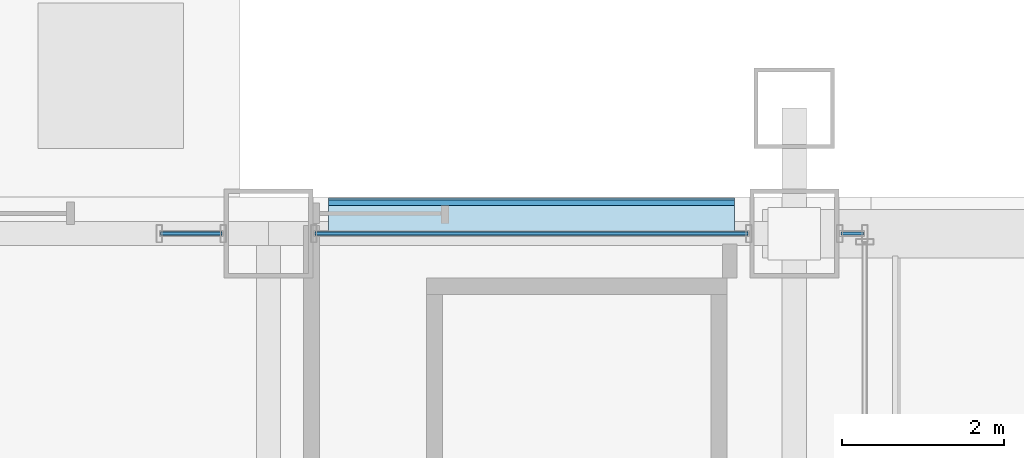
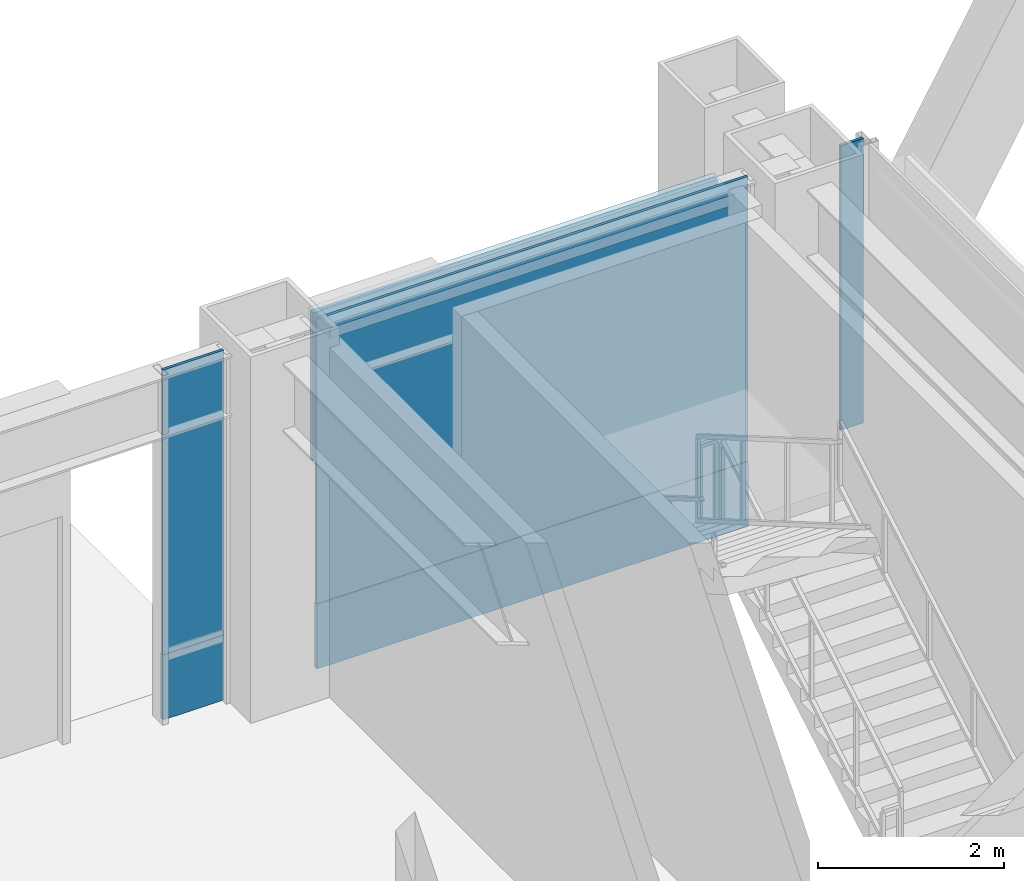
# One storey, part 26 of 37: 7 plates, 3 elements without a shape of their own.
"""IFC4 building model written with IfcOpenShell, lengths in metres."""

from ifc_helpers import new_model, si_unit, direction, frame, origin, origin_2d, place, context, subcontext, project, spatial, rectangle, extrude, material, layer, layer_set, type_object, element, aggregate, save


model = new_model("IFC4")

# Units and contexts
model_context = context("Model", 3, precision=1e-05, world=origin(), true_north=direction((0.0, 1.0)))
body_context = subcontext(model_context, "Body", "Model", "MODEL_VIEW")
ifc_project = project(units=[si_unit("LENGTHUNIT", "METRE"), si_unit("AREAUNIT", "SQUARE_METRE"), si_unit("VOLUMEUNIT", "CUBIC_METRE"), si_unit("PLANEANGLEUNIT", "RADIAN"), si_unit("MASSUNIT", "GRAM", prefix="KILO")], contexts=[model_context])

# Site, building, storey
site_placement = place(None, origin())
site = spatial("IfcSite", under=ifc_project, at=site_placement, CompositionType="ELEMENT")
building_placement = place(site_placement, origin())
building = spatial("IfcBuilding", under=site, at=building_placement, Name="Brelmoor Portico Tower", CompositionType="ELEMENT")
storey_placement = place(building_placement, origin())
storey = spatial("IfcBuildingStorey", under=building, at=storey_placement, Name="L00", CompositionType="ELEMENT", Elevation=0.0)

# Curtain wall, plate
ifc_material_1 = material(Name="Anodised Aluminium Alloy 6063-T6", Category="aluminium")
ifc_layer_1 = layer(ifc_material_1, 0.179931640625)
ifc_layer_set_1 = layer_set([ifc_layer_1], Name="Anodised Aluminium Alloy 6063-T6")
curtain_wall_type = type_object("IfcCurtainWallType", Name="CW-PODIUM-ARCH", PredefinedType="NOTDEFINED", material=ifc_layer_set_1)
curtain_wall_1_placement = place(storey_placement, origin())
curtain_wall_1 = element("IfcCurtainWall", 1, at=curtain_wall_1_placement, inside=storey, type_object=curtain_wall_type, Name="L00 Curtain Wall CW-L00-03-1", PredefinedType="NOTDEFINED")
ifc_material_2 = material(Name="Double-Silver Low-E Insulated Glazing", Category="glass")
ifc_layer_2 = layer(ifc_material_2, 0.035888671875)
ifc_layer_set_2 = layer_set([ifc_layer_2], Name="Double-Silver Low-E Insulated Glazing")
plate_type_1 = type_object("IfcPlateType", Name="PT-CW-GLASS", PredefinedType="CURTAIN_PANEL", material=ifc_layer_set_2)
plate_1_placement = place(storey_placement, frame((-22.0048828125, 27.550048828125, 0.85009765625), z_axis=(0.0, 0.0, 1.0), x_axis=(1.0, 0.0, 0.0)))
plate_1 = element("IfcPlate", 2, at=plate_1_placement, type_object=plate_type_1, Name="CW-L00-03-1 Vision Glass Panel 00", PredefinedType="CURTAIN_PANEL", context=body_context, shape_type="SweptSolid", body=[
    extrude(rectangle(XDim=0.760009765625, YDim=0.035888671875, at=origin_2d()), origin(), (0.0, 0.0, 1.0), 3.72998046875),
])

curtain_wall_2_placement = place(storey_placement, origin())
curtain_wall_2 = element("IfcCurtainWall", 3, at=curtain_wall_2_placement, inside=storey, type_object=curtain_wall_type, Name="L00 Curtain Wall CW-L00-03-2", PredefinedType="NOTDEFINED")
plate_2_placement = place(storey_placement, frame((-17.800048828125, 27.550048828125, 0.85009765625), z_axis=(0.0, 0.0, 1.0), x_axis=(1.0, 0.0, 0.0)))
plate_2 = element("IfcPlate", 4, at=plate_2_placement, type_object=plate_type_1, Name="CW-L00-03-2 Vision Glass Panel 00", PredefinedType="CURTAIN_PANEL", context=body_context, shape_type="SweptSolid", body=[
    extrude(rectangle(XDim=5.35009765625, YDim=0.035888671875, at=origin_2d()), origin(), (0.0, 0.0, 1.0), 3.72998046875),
])

curtain_wall_3_placement = place(storey_placement, origin())
curtain_wall_3 = element("IfcCurtainWall", 5, at=curtain_wall_3_placement, inside=storey, type_object=curtain_wall_type, Name="L00 Curtain Wall CW-L00-03-3", PredefinedType="NOTDEFINED")
plate_3_placement = place(storey_placement, frame((-13.8349609375, 27.550048828125, 0.85009765625), z_axis=(0.0, 0.0, 1.0), x_axis=(1.0, 0.0, 0.0)))
plate_3 = element("IfcPlate", 6, at=plate_3_placement, type_object=plate_type_1, Name="CW-L00-03-3 Vision Glass Panel 00", PredefinedType="CURTAIN_PANEL", context=body_context, shape_type="SweptSolid", body=[
    extrude(rectangle(XDim=0.280029296875, YDim=0.035888671875, at=origin_2d()), origin(), (0.0, 0.0, 1.0), 3.72998046875),
])
aggregate(curtain_wall_3, [plate_3])

# Plate
ifc_material_3 = material(Name="Pale Champagne Anodised Aluminium Panel", Category="aluminium")
ifc_layer_3 = layer(ifc_material_3, 0.050048828125)
ifc_layer_set_3 = layer_set([ifc_layer_3], Name="Pale Champagne Anodised Aluminium Panel")
plate_type_2 = type_object("IfcPlateType", Name="PT-CW-SPANDREL", PredefinedType="SHEET", material=ifc_layer_set_3)
plate_4_placement = place(storey_placement, frame((-22.0048828125, 27.550048828125, 0.0), z_axis=(0.0, 0.0, 1.0), x_axis=(1.0, 0.0, 0.0)))
plate_4 = element("IfcPlate", 7, at=plate_4_placement, type_object=plate_type_2, Name="CW-L00-03-1 Spandrel Panel 00", PredefinedType="SHEET", context=body_context, shape_type="SweptSolid", body=[
    extrude(rectangle(XDim=0.760009765625, YDim=0.050048828125, at=origin_2d()), origin(), (0.0, 0.0, 1.0), 0.85009765625),
])

aggregate(curtain_wall_1, [plate_4, plate_1])

plate_5_placement = place(storey_placement, frame((-17.800048828125, 27.550048828125, 0.0), z_axis=(0.0, 0.0, 1.0), x_axis=(1.0, 0.0, 0.0)))
plate_5 = element("IfcPlate", 8, at=plate_5_placement, type_object=plate_type_2, Name="CW-L00-03-2 Spandrel Panel 00", PredefinedType="SHEET", context=body_context, shape_type="SweptSolid", body=[
    extrude(rectangle(XDim=5.35009765625, YDim=0.050048828125, at=origin_2d()), origin(), (0.0, 0.0, 1.0), 0.85009765625),
])

aggregate(curtain_wall_2, [plate_5, plate_2])

# Plates
ifc_material_4 = material(Name="Powder-Coated Aluminium Shuttered Jalousie Louvre", Category="aluminium")
ifc_layer_4 = layer(ifc_material_4, 0.06005859375)
ifc_layer_set_4 = layer_set([ifc_layer_4], Name="Powder-Coated Aluminium Shuttered Jalousie Louvre")
plate_type_3 = type_object("IfcPlateType", Name="PT-JALOUSIE-SHUTTER", PredefinedType="SHEET", material=ifc_layer_set_4)
plate_6_placement = place(storey_placement, frame((-17.800048828125, 27.929931640625, 2.4404296875), z_axis=(0.0, 0.0, 1.0), x_axis=(1.0, 0.0, 0.0)))
element("IfcPlate", 9, at=plate_6_placement, inside=storey, type_object=plate_type_3, Name="CW-L00-03-2 Perforated Jalousie Solar Screen", PredefinedType="SHEET", context=body_context, shape_type="SweptSolid", body=[
    extrude(rectangle(XDim=5.02001953125, YDim=0.06494140625, at=origin_2d()), origin(), (0.0, 0.0, 1.0), 1.939697265625),
])
ifc_material_5 = material(Name="Pale Champagne Perforated Aluminium Solar Screen", Category="aluminium")
ifc_layer_5 = layer(ifc_material_5, 0.054931640625)
ifc_layer_set_5 = layer_set([ifc_layer_5], Name="Pale Champagne Perforated Aluminium Solar Screen")
plate_type_4 = type_object("IfcPlateType", Name="PT-SOLAR-LOUVRE", PredefinedType="SHEET", material=ifc_layer_set_5)
plate_7_placement = place(storey_placement, frame((-17.800048828125, 27.760009765625, 4.27001953125), z_axis=(0.0, 0.0, 1.0), x_axis=(1.0, 0.0, 0.0)))
element("IfcPlate", 10, at=plate_7_placement, inside=storey, type_object=plate_type_4, Name="CW-L00-03-2 Caribbean Brise-Soleil Solar Screen", PredefinedType="SHEET", context=body_context, shape_type="SweptSolid", body=[
    extrude(rectangle(XDim=5.02001953125, YDim=0.4599609375, at=origin_2d()), origin(), (0.0, 0.0, 1.0), 0.139892578125),
])

save(model, "model.ifc")
